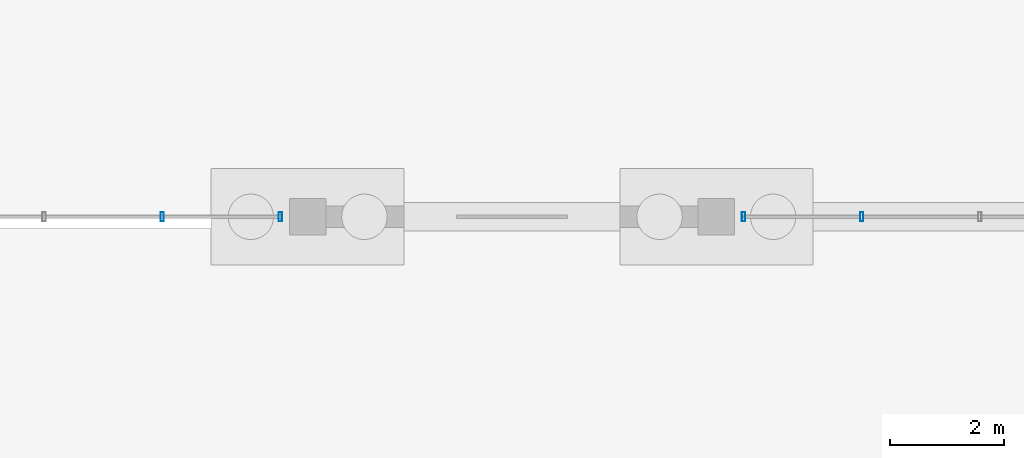
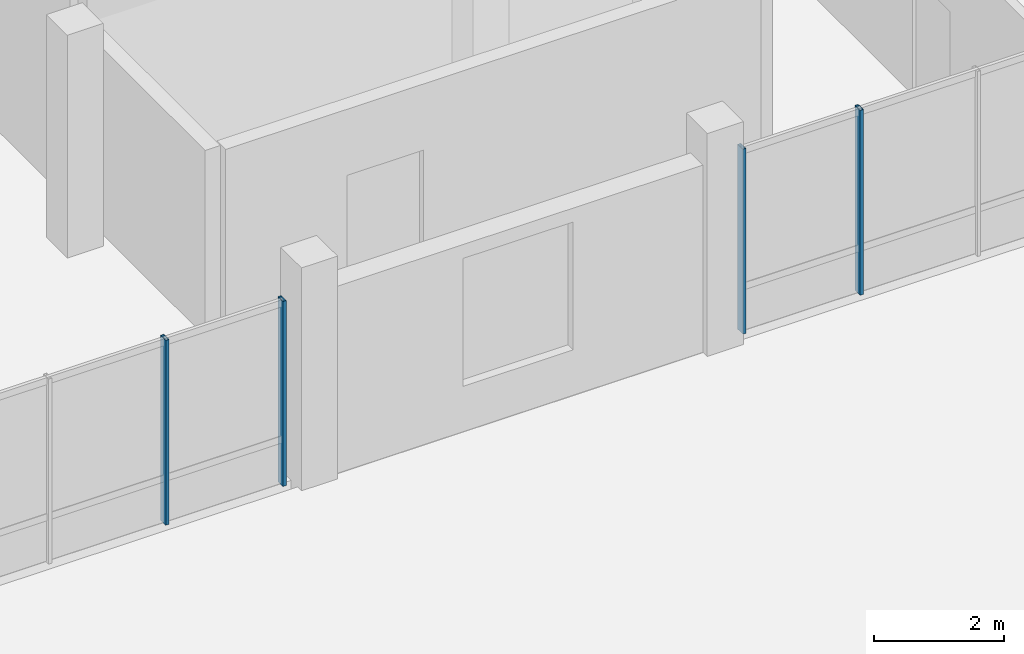
# One storey, part 52 of 98: 4 members, 2 elements without a shape of their own.
"""IFC4 building model written with IfcOpenShell, lengths in metres."""

from ifc_helpers import new_model, si_unit, direction, frame, origin, origin_2d, place, context, subcontext, project, spatial, hollow_rectangle, extrude, material, material_profile, profile_set, type_object, element, aggregate, save


model = new_model("IFC4")

# Units and contexts
model_context = context("Model", 3, precision=1e-05, world=origin(), true_north=direction((0.0, 1.0)))
body_context = subcontext(model_context, "Body", "Model", "MODEL_VIEW")
ifc_project = project(units=[si_unit("LENGTHUNIT", "METRE"), si_unit("AREAUNIT", "SQUARE_METRE"), si_unit("VOLUMEUNIT", "CUBIC_METRE"), si_unit("PLANEANGLEUNIT", "RADIAN"), si_unit("MASSUNIT", "GRAM", prefix="KILO")], contexts=[model_context])

# Site, building, storey
site_placement = place(None, origin())
site = spatial("IfcSite", under=ifc_project, at=site_placement, CompositionType="ELEMENT")
building_placement = place(site_placement, origin())
building = spatial("IfcBuilding", under=site, at=building_placement, Name="Zornivar Specialist Clinic", CompositionType="ELEMENT")
storey_placement = place(building_placement, origin())
storey = spatial("IfcBuildingStorey", under=building, at=storey_placement, Name="L00", CompositionType="ELEMENT", Elevation=0.0)

# Curtain wall, members
ifc_material_1 = material(Name="Aluminium and Low-E Glass Curtain Wall", Category="aluminium")
curtain_wall_type = type_object("IfcCurtainWallType", Name="CW-LAB-NORTH", PredefinedType="NOTDEFINED", material=ifc_material_1)
curtain_wall_1_placement = place(storey_placement, origin())
curtain_wall_1 = element("IfcCurtainWall", 1, at=curtain_wall_1_placement, inside=storey, type_object=curtain_wall_type, Name="cw:V6:L00:00", PredefinedType="NOTDEFINED")
ifc_material_2 = material(Name="Aluminium AW-6060", Category="aluminium")
ifc_material_profile = material_profile(ifc_material_2, hollow_rectangle(XDim=0.06005859375, YDim=0.159912109375, WallThickness=0.00390625, at=origin_2d()), Name="ALU 60x160x4")
ifc_profile_set = profile_set([ifc_material_profile], Name="Aluminium AW-6060")
member_type = type_object("IfcMemberType", Name="CWM-MUL-160", PredefinedType="MULLION", material=ifc_profile_set)
member_1_placement = place(storey_placement, frame((141.43994140625, 64.800048828125, 0.0), z_axis=(0.0, 0.0, 1.0), x_axis=(1.0, 0.0, 0.0)))
member_1 = element("IfcMember", 2, at=member_1_placement, type_object=member_type, Name="cw:V6:L00:00:mul:2", PredefinedType="MULLION", context=body_context, shape_type="SweptSolid", body=[
    extrude(hollow_rectangle(XDim=0.06005859375, YDim=0.159912109375, WallThickness=0.00390625, at=origin_2d()), origin(), (0.0, 0.0, 1.0), 3.469970703125),
])
member_2_placement = place(storey_placement, frame((143.52001953125, 64.800048828125, 0.0), z_axis=(0.0, 0.0, 1.0), x_axis=(1.0, 0.0, 0.0)))
member_2 = element("IfcMember", 3, at=member_2_placement, type_object=member_type, Name="cw:V6:L00:00:mul:3", PredefinedType="MULLION", context=body_context, shape_type="SweptSolid", body=[
    extrude(hollow_rectangle(XDim=0.06005859375, YDim=0.159912109375, WallThickness=0.00390625, at=origin_2d()), origin(), (0.0, 0.0, 1.0), 3.469970703125),
])
aggregate(curtain_wall_1, [member_1, member_2])

curtain_wall_2_placement = place(storey_placement, origin())
curtain_wall_2 = element("IfcCurtainWall", 4, at=curtain_wall_2_placement, inside=storey, type_object=curtain_wall_type, Name="cw:V6:L00:02", PredefinedType="NOTDEFINED")
member_3_placement = place(storey_placement, frame((151.679931640625, 64.800048828125, 0.0), z_axis=(0.0, 0.0, 1.0), x_axis=(1.0, 0.0, 0.0)))
member_3 = element("IfcMember", 5, at=member_3_placement, type_object=member_type, Name="cw:V6:L00:02:mul:0", PredefinedType="MULLION", context=body_context, shape_type="SweptSolid", body=[
    extrude(hollow_rectangle(XDim=0.06005859375, YDim=0.159912109375, WallThickness=0.00390625, at=origin_2d()), origin(), (0.0, 0.0, 1.0), 3.469970703125),
])
member_4_placement = place(storey_placement, frame((153.760009765625, 64.800048828125, 0.0), z_axis=(0.0, 0.0, 1.0), x_axis=(1.0, 0.0, 0.0)))
member_4 = element("IfcMember", 6, at=member_4_placement, type_object=member_type, Name="cw:V6:L00:02:mul:1", PredefinedType="MULLION", context=body_context, shape_type="SweptSolid", body=[
    extrude(hollow_rectangle(XDim=0.06005859375, YDim=0.159912109375, WallThickness=0.00390625, at=origin_2d()), origin(), (0.0, 0.0, 1.0), 3.469970703125),
])
aggregate(curtain_wall_2, [member_3, member_4])

save(model, "model.ifc")
